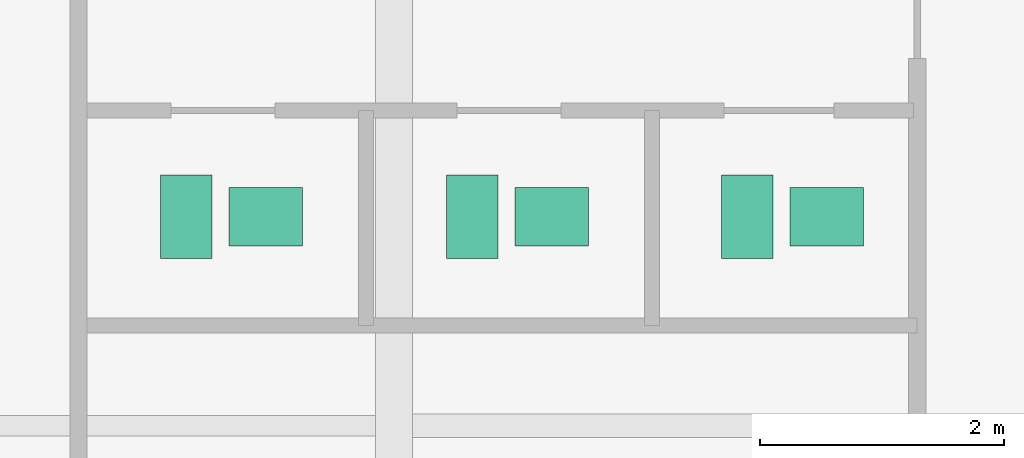
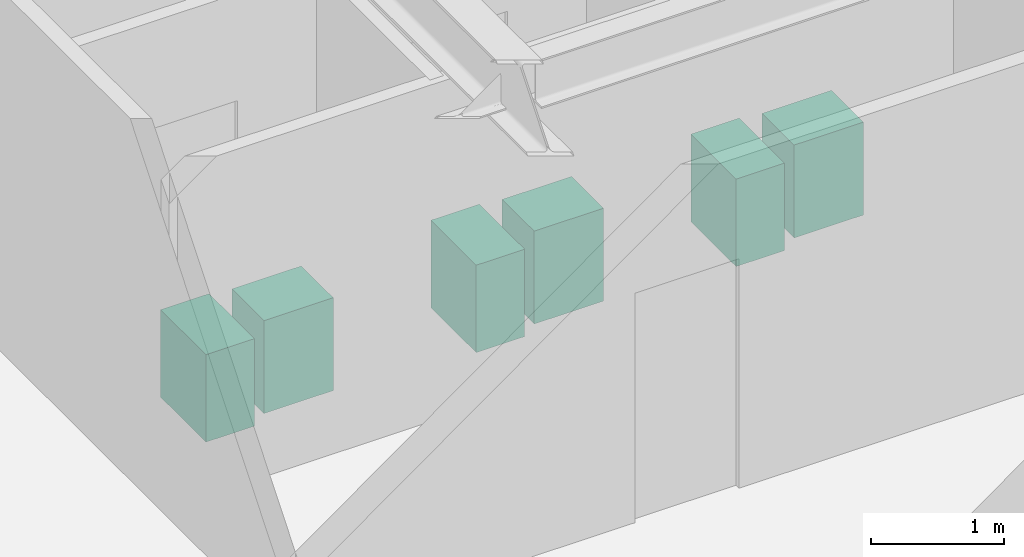
# One storey, part 24 of 24: 6 sanitary terminals.
"""IFC4 building model written with IfcOpenShell, lengths in metres."""

from ifc_helpers import new_model, si_unit, direction, frame, origin, origin_2d, place, context, subcontext, project, spatial, rectangle, extrude, source, transform, mapped, material, type_object, type_shapes, element, save


model = new_model("IFC4")

# Units and contexts
model_context = context("Model", 3, precision=1e-05, world=origin(), true_north=direction((0.0, 1.0)))
body_context = subcontext(model_context, "Body", "Model", "MODEL_VIEW")
ifc_project = project(units=[si_unit("LENGTHUNIT", "METRE"), si_unit("AREAUNIT", "SQUARE_METRE"), si_unit("VOLUMEUNIT", "CUBIC_METRE"), si_unit("PLANEANGLEUNIT", "RADIAN"), si_unit("MASSUNIT", "GRAM", prefix="KILO")], contexts=[model_context])

# Site, building, storey
site_placement = place(None, origin())
site = spatial("IfcSite", under=ifc_project, at=site_placement, CompositionType="ELEMENT")
building_placement = place(site_placement, origin())
building = spatial("IfcBuilding", under=site, at=building_placement, Name="Krantzveldt Concourse Tower", CompositionType="ELEMENT")
storey_placement = place(building_placement, frame((0.0, 0.0, 169.89990234375)))
storey = spatial("IfcBuildingStorey", under=building, at=storey_placement, Name="L41", CompositionType="ELEMENT", Elevation=169.89990234375)

# Sanitary terminals
ifc_material = material(Name="Vitreous china", Category="ceramic")
sanitary_terminal_type_1 = type_object("IfcSanitaryTerminalType", Name="SAN-WC-SUITE", PredefinedType="TOILETPAN", material=ifc_material)
shared_shape_1 = source(origin(), body_context, "Body", "SweptSolid", [
    extrude(rectangle(XDim=0.419921875, YDim=0.679931640625, at=origin_2d()), origin(), (0.0, 0.0, 1.0), 0.800048828125),
])
type_shapes(sanitary_terminal_type_1, [shared_shape_1])
for number, where, z_axis, x_axis, name in (
    (1, (28.89990234375, 31.909912109375, 0.0), (0.0, 0.0, 1.0), (1.0, 0.0, 0.0), "WC-SP-L41-WCM"),
    (2, (31.239990234375, 31.909912109375, 0.0), (0.0, 0.0, 1.0), (1.0, 0.0, 0.0), "WC-SP-L41-WCF"),
    (3, (33.489990234375, 31.909912109375, 0.0), (0.0, 0.0, 1.0), (1.0, 0.0, 0.0), "WC-SP-L41-WCA"),
):
    element("IfcSanitaryTerminal", number, at=place(storey_placement, frame(where, z_axis=z_axis, x_axis=x_axis)), inside=storey, type_object=sanitary_terminal_type_1, Name=name, PredefinedType="TOILETPAN", context=body_context, shape_type="MappedRepresentation", body=[
        mapped(shared_shape_1, transform((0.0, 0.0, 0.0), x_axis=(1.0, 0.0, 0.0), y_axis=(0.0, 1.0, 0.0), z_axis=(0.0, 0.0, 1.0), scale=1.0)),
    ])
sanitary_terminal_type_2 = type_object("IfcSanitaryTerminalType", Name="SAN-BASIN-600", PredefinedType="WASHHANDBASIN", material=ifc_material)
shared_shape_2 = source(origin(), body_context, "Body", "SweptSolid", [
    extrude(rectangle(XDim=0.60009765625, YDim=0.47998046875, at=origin_2d()), origin(), (0.0, 0.0, 1.0), 0.85009765625),
])
type_shapes(sanitary_terminal_type_2, [shared_shape_2])
for number, where, z_axis, x_axis, name in (
    (4, (29.550048828125, 31.909912109375, 0.005126953125), (0.0, 0.0, 1.0), (1.0, 0.0, 0.0), "BSN-SP-L41-WCM"),
    (5, (31.889892578125, 31.909912109375, 0.005126953125), (0.0, 0.0, 1.0), (1.0, 0.0, 0.0), "BSN-SP-L41-WCF"),
    (6, (34.139892578125, 31.909912109375, 0.005126953125), (0.0, 0.0, 1.0), (1.0, 0.0, 0.0), "BSN-SP-L41-WCA"),
):
    element("IfcSanitaryTerminal", number, at=place(storey_placement, frame(where, z_axis=z_axis, x_axis=x_axis)), inside=storey, type_object=sanitary_terminal_type_2, Name=name, PredefinedType="WASHHANDBASIN", context=body_context, shape_type="MappedRepresentation", body=[
        mapped(shared_shape_2, transform((0.0, 0.0, 0.0), x_axis=(1.0, 0.0, 0.0), y_axis=(0.0, 1.0, 0.0), z_axis=(0.0, 0.0, 1.0), scale=1.0)),
    ])

save(model, "model.ifc")
